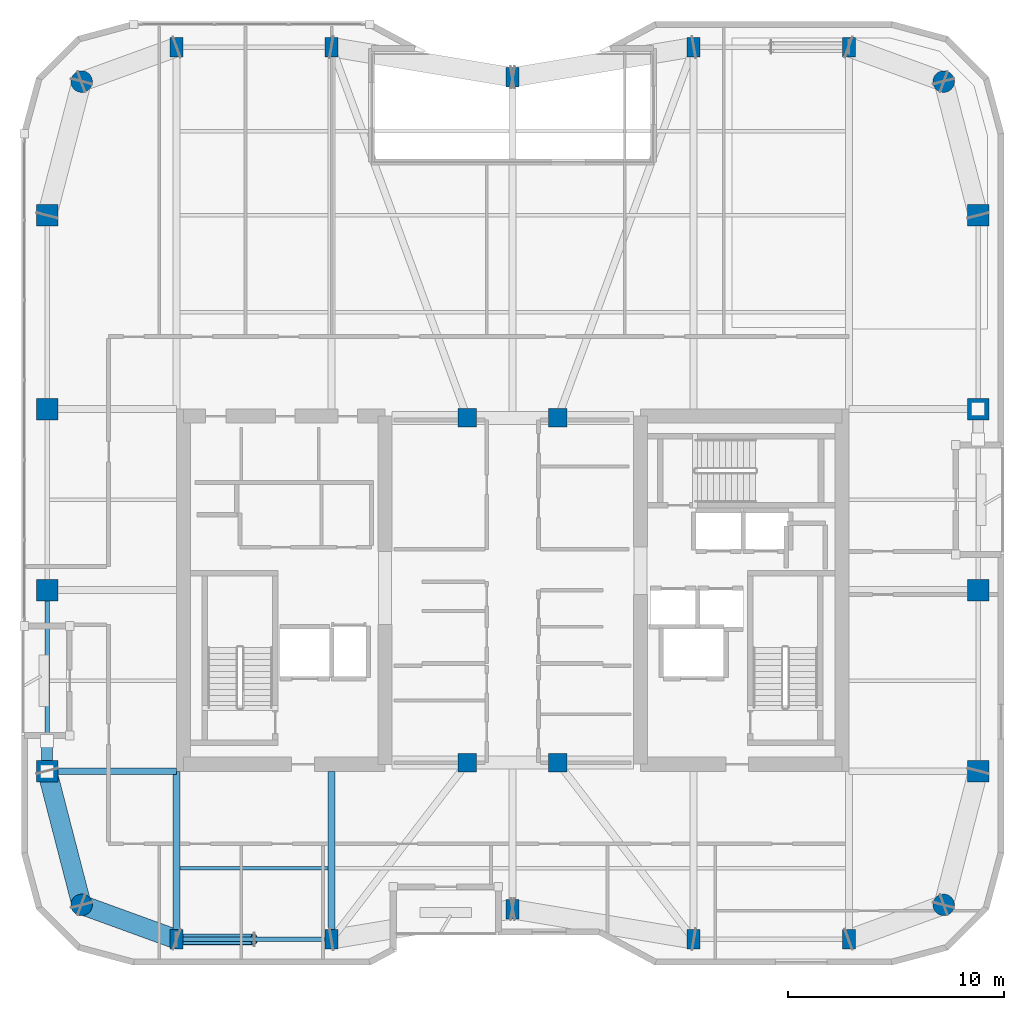
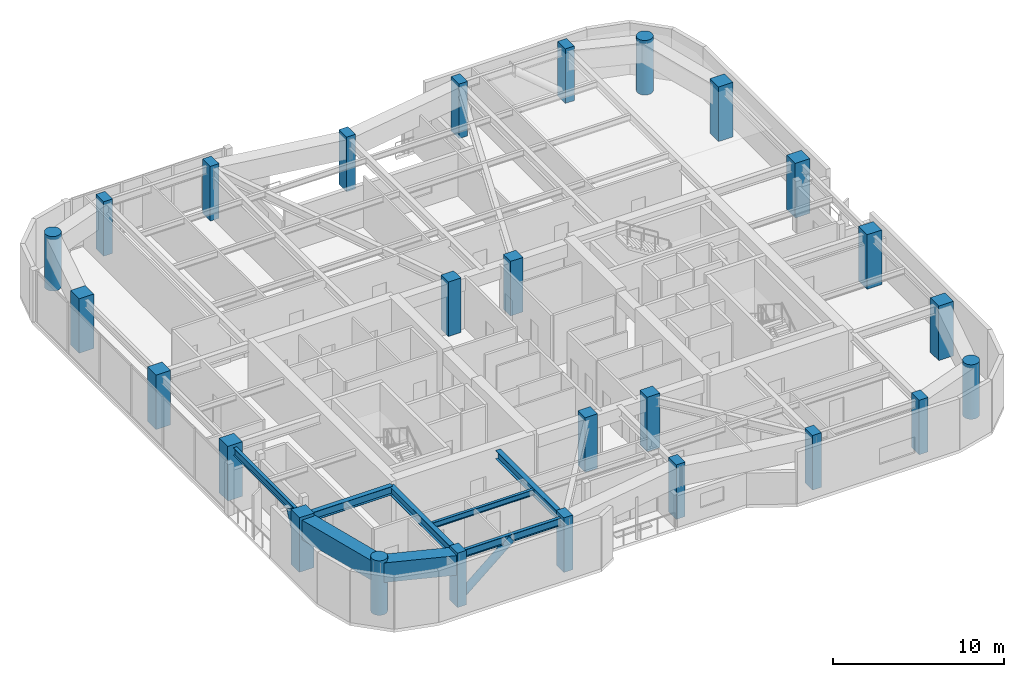
# One storey, part 1 of 22: 26 columns, 8 beams, 2 members.
"""IFC4 building model written with IfcOpenShell, lengths in metres."""

from ifc_helpers import new_model, si_unit, direction, frame, origin, origin_2d, place, context, subcontext, project, spatial, rectangle, hollow_rectangle, circle, hollow_circle, i_section, extrude, material, material_profile, profile_set, type_object, element, save


model = new_model("IFC4")

# Units and contexts
model_context = context("Model", 3, precision=1e-05, world=origin(), true_north=direction((0.0, 1.0)))
body_context = subcontext(model_context, "Body", "Model", "MODEL_VIEW")
ifc_project = project(units=[si_unit("LENGTHUNIT", "METRE"), si_unit("AREAUNIT", "SQUARE_METRE"), si_unit("VOLUMEUNIT", "CUBIC_METRE"), si_unit("PLANEANGLEUNIT", "RADIAN"), si_unit("MASSUNIT", "GRAM", prefix="KILO")], contexts=[model_context])

# Site, building, storey
site_placement = place(None, origin())
site = spatial("IfcSite", under=ifc_project, at=site_placement, CompositionType="ELEMENT")
building_placement = place(site_placement, origin())
building = spatial("IfcBuilding", under=site, at=building_placement, Name="Kiyonajd Concourse Tower", CompositionType="ELEMENT")
storey_placement = place(building_placement, frame((0.0, 0.0, 243.300048828125)))
storey = spatial("IfcBuildingStorey", under=building, at=storey_placement, Name="L61", CompositionType="ELEMENT", Elevation=243.300048828125)

# Columns
ifc_material_1 = material(Name="Concrete C60/75", Category="concrete")
ifc_material_profile_1 = material_profile(ifc_material_1, rectangle(XDim=0.60009765625, YDim=0.89990234375, at=origin_2d()), Name="RC-900x600")
ifc_profile_set_1 = profile_set([ifc_material_profile_1], Name="Concrete C60/75")
column_type_1 = type_object("IfcColumnType", Name="CL-BLADE-900", PredefinedType="COLUMN", material=ifc_profile_set_1)
for number, where, z_axis, x_axis, name in (
    (1, (32.39990234375, 19.800048828125, 0.0), (0.0, 0.0, 1.0), (1.0, 0.0, 0.0), "L61 Perimeter Bundled Tube Column"),
    (2, (32.39990234375, 61.199951171875, 0.0), (0.0, 0.0, 1.0), (1.0, 0.0, 0.0), "L61 Perimeter Bundled Tube Column"),
    (3, (39.60009765625, 19.800048828125, 0.0), (0.0, 0.0, 1.0), (1.0, 0.0, 0.0), "L61 Perimeter Bundled Tube Column"),
    (4, (39.60009765625, 61.199951171875, 0.0), (0.0, 0.0, 1.0), (1.0, 0.0, 0.0), "L61 Perimeter Bundled Tube Column"),
    (5, (48.0, 21.199951171875, 0.0), (0.0, 0.0, 1.0), (1.0, 0.0, 0.0), "L61 Perimeter Bundled Tube Column"),
    (6, (48.0, 59.800048828125, 0.0), (0.0, 0.0, 1.0), (1.0, 0.0, 0.0), "L61 Perimeter Bundled Tube Column"),
    (7, (56.39990234375, 19.800048828125, 0.0), (0.0, 0.0, 1.0), (1.0, 0.0, 0.0), "L61 Perimeter Bundled Tube Column"),
    (8, (56.39990234375, 61.199951171875, 0.0), (0.0, 0.0, 1.0), (1.0, 0.0, 0.0), "L61 Perimeter Bundled Tube Column"),
    (9, (63.60009765625, 19.800048828125, 0.0), (0.0, 0.0, 1.0), (1.0, 0.0, 0.0), "L61 Perimeter Bundled Tube Column"),
    (10, (63.60009765625, 61.199951171875, 0.0), (0.0, 0.0, 1.0), (1.0, 0.0, 0.0), "L61 Perimeter Bundled Tube Column"),
):
    element("IfcColumn", number, at=place(storey_placement, frame(where, z_axis=z_axis, x_axis=x_axis)), inside=storey, type_object=column_type_1, Name=name, PredefinedType="COLUMN", context=body_context, shape_type="SweptSolid", body=[
        extrude(rectangle(XDim=0.60009765625, YDim=0.89990234375, at=origin_2d()), origin(), (0.0, 0.0, 1.0), 3.89990234375),
    ])
ifc_material_profile_2 = material_profile(ifc_material_1, circle(Radius=0.5, at=origin_2d()), Name="RCC-D1000")
ifc_profile_set_2 = profile_set([ifc_material_profile_2], Name="Concrete C60/75")
column_type_2 = type_object("IfcColumnType", Name="CL-RND-1000", PredefinedType="COLUMN", material=ifc_profile_set_2)
for number, where, z_axis, x_axis, name in (
    (11, (28.0, 21.39990234375, 0.0), (0.0, 0.0, 1.0), (1.0, 0.0, 0.0), "L61 Bundled Tube Corner Column South West"),
    (12, (68.0, 21.39990234375, 0.0), (0.0, 0.0, 1.0), (1.0, 0.0, 0.0), "L61 Bundled Tube Corner Column South East"),
    (13, (68.0, 59.60009765625, 0.0), (0.0, 0.0, 1.0), (1.0, 0.0, 0.0), "L61 Bundled Tube Corner Column North East"),
    (14, (28.0, 59.60009765625, 0.0), (0.0, 0.0, 1.0), (1.0, 0.0, 0.0), "L61 Bundled Tube Corner Column North West"),
):
    element("IfcColumn", number, at=place(storey_placement, frame(where, z_axis=z_axis, x_axis=x_axis)), inside=storey, type_object=column_type_2, Name=name, PredefinedType="COLUMN", context=body_context, shape_type="SweptSolid", body=[
        extrude(circle(Radius=0.5, at=origin_2d()), origin(), (0.0, 0.0, 1.0), 3.89990234375),
    ])
ifc_material_profile_3 = material_profile(ifc_material_1, rectangle(XDim=1.0, YDim=1.0, at=origin_2d()), Name="RC-1000x1000")
ifc_profile_set_3 = profile_set([ifc_material_profile_3], Name="Concrete C60/75")
column_type_3 = type_object("IfcColumnType", Name="CL-TUBE-1000", PredefinedType="COLUMN", material=ifc_profile_set_3)
for number, where, z_axis, x_axis, name in (
    (15, (26.39990234375, 27.60009765625, 0.0), (0.0, 0.0, 1.0), (1.0, 0.0, 0.0), "L61 Perimeter Bundled Tube Column"),
    (16, (69.60009765625, 27.60009765625, 0.0), (0.0, 0.0, 1.0), (1.0, 0.0, 0.0), "L61 Perimeter Bundled Tube Column"),
    (17, (26.39990234375, 36.0, 0.0), (0.0, 0.0, 1.0), (1.0, 0.0, 0.0), "L61 Perimeter Bundled Tube Column"),
    (18, (69.60009765625, 36.0, 0.0), (0.0, 0.0, 1.0), (1.0, 0.0, 0.0), "L61 Perimeter Bundled Tube Column"),
    (19, (26.39990234375, 44.39990234375, 0.0), (0.0, 0.0, 1.0), (1.0, 0.0, 0.0), "L61 Perimeter Bundled Tube Column"),
    (20, (69.60009765625, 44.39990234375, 0.0), (0.0, 0.0, 1.0), (1.0, 0.0, 0.0), "L61 Perimeter Bundled Tube Column"),
    (21, (26.39990234375, 53.39990234375, 0.0), (0.0, 0.0, 1.0), (1.0, 0.0, 0.0), "L61 Perimeter Bundled Tube Column"),
    (22, (69.60009765625, 53.39990234375, 0.0), (0.0, 0.0, 1.0), (1.0, 0.0, 0.0), "L61 Perimeter Bundled Tube Column"),
):
    element("IfcColumn", number, at=place(storey_placement, frame(where, z_axis=z_axis, x_axis=x_axis)), inside=storey, type_object=column_type_3, Name=name, PredefinedType="COLUMN", context=body_context, shape_type="SweptSolid", body=[
        extrude(rectangle(XDim=1.0, YDim=1.0, at=origin_2d()), origin(), (0.0, 0.0, 1.0), 3.89990234375),
    ])
ifc_material_profile_4 = material_profile(ifc_material_1, rectangle(XDim=0.85009765625, YDim=0.85009765625, at=origin_2d()), Name="RC-850x850")
ifc_profile_set_4 = profile_set([ifc_material_profile_4], Name="Concrete C60/75")
column_type_4 = type_object("IfcColumnType", Name="CL-TUBE-850", PredefinedType="COLUMN", material=ifc_profile_set_4)
for number, where, z_axis, x_axis, name in (
    (23, (45.89990234375, 28.0, 0.0), (0.0, 0.0, 1.0), (1.0, 0.0, 0.0), "L61 Core Tie Column South West"),
    (24, (50.10009765625, 28.0, 0.0), (0.0, 0.0, 1.0), (1.0, 0.0, 0.0), "L61 Core Tie Column South East"),
    (25, (45.89990234375, 44.0, 0.0), (0.0, 0.0, 1.0), (1.0, 0.0, 0.0), "L61 Core Tie Column North West"),
    (26, (50.10009765625, 44.0, 0.0), (0.0, 0.0, 1.0), (1.0, 0.0, 0.0), "L61 Core Tie Column North East"),
):
    element("IfcColumn", number, at=place(storey_placement, frame(where, z_axis=z_axis, x_axis=x_axis)), inside=storey, type_object=column_type_4, Name=name, PredefinedType="COLUMN", context=body_context, shape_type="SweptSolid", body=[
        extrude(rectangle(XDim=0.85009765625, YDim=0.85009765625, at=origin_2d()), origin(), (0.0, 0.0, 1.0), 3.89990234375),
    ])

# Beams
ifc_material_2 = material(Name="Steel ASTM A992 Grade 50", Category="steel")
ifc_material_profile_5 = material_profile(ifc_material_2, i_section(OverallWidth=0.180908203125, OverallDepth=0.4169921875, WebThickness=0.010986328125, FlangeThickness=0.018310546875, at=origin_2d()), Name="W410X85")
ifc_profile_set_5 = profile_set([ifc_material_profile_5], Name="Steel ASTM A992 Grade 50")
beam_type_1 = type_object("IfcBeamType", Name="BM-JST-410", PredefinedType="JOIST", material=ifc_profile_set_5)
beam_1_placement = place(storey_placement, frame((32.56201171875, 23.10009765625, 3.471435546875), z_axis=(1.0, 0.0, 0.0), x_axis=(0.0, 1.0, 0.0)))
element("IfcBeam", 27, at=beam_1_placement, inside=storey, type_object=beam_type_1, Name="L61 Secondary Floor Joist", PredefinedType="JOIST", context=body_context, shape_type="SweptSolid", body=[
    extrude(i_section(OverallWidth=0.180908203125, OverallDepth=0.4169921875, WebThickness=0.010986328125, FlangeThickness=0.018310546875, at=origin_2d()), origin(), (0.0, 0.0, 1.0), 6.8759765625),
])
ifc_material_profile_6 = material_profile(ifc_material_2, i_section(OverallWidth=0.214111328125, OverallDepth=0.549072265625, WebThickness=0.0146484375, FlangeThickness=0.023681640625, at=origin_2d()), Name="W530X138")
ifc_profile_set_6 = profile_set([ifc_material_profile_6], Name="Steel ASTM A992 Grade 50")
beam_type_2 = type_object("IfcBeamType", Name="BM-SPAN-530A", PredefinedType="SPANDREL", material=ifc_profile_set_6)
beam_2_placement = place(storey_placement, frame((32.39990234375, 19.800048828125, 3.405517578125), z_axis=(1.0, 0.0, 0.0), x_axis=(0.0, 1.0, 0.0)))
element("IfcBeam", 28, at=beam_2_placement, inside=storey, type_object=beam_type_2, Name="L61 Perimeter Bundled Tube Spandrel", PredefinedType="SPANDREL", context=body_context, shape_type="SweptSolid", body=[
    extrude(i_section(OverallWidth=0.214111328125, OverallDepth=0.549072265625, WebThickness=0.0146484375, FlangeThickness=0.023681640625, at=origin_2d()), origin(), (0.0, 0.0, 1.0), 7.2001953125),
])
beam_3_placement = place(storey_placement, frame((26.39990234375, 36.0, 3.405517578125), z_axis=(0.0, -1.0, 0.0), x_axis=(1.0, 0.0, 0.0)))
element("IfcBeam", 29, at=beam_3_placement, inside=storey, type_object=beam_type_2, Name="L61 Perimeter Bundled Tube Spandrel", PredefinedType="SPANDREL", context=body_context, shape_type="SweptSolid", body=[
    extrude(i_section(OverallWidth=0.214111328125, OverallDepth=0.549072265625, WebThickness=0.0146484375, FlangeThickness=0.023681640625, at=origin_2d()), origin(), (0.0, 0.0, 1.0), 8.39990234375),
])
ifc_material_profile_7 = material_profile(ifc_material_2, i_section(OverallWidth=0.323974609375, OverallDepth=0.611083984375, WebThickness=0.0126953125, FlangeThickness=0.01904296875, at=origin_2d()), Name="W610X155")
ifc_profile_set_7 = profile_set([ifc_material_profile_7], Name="Steel ASTM A992 Grade 50")
beam_type_3 = type_object("IfcBeamType", Name="BM-TWR-610B", PredefinedType="BEAM", material=ifc_profile_set_7)
for number, where, z_axis, x_axis, name in (
    (30, (32.39990234375, 19.800048828125, 3.37451171875), (0.0, 1.0, 0.0), (-1.0, 0.0, 0.0), "L61 South Lease Girder"),
    (31, (39.60009765625, 19.800048828125, 3.37451171875), (0.0, 1.0, 0.0), (-1.0, 0.0, 0.0), "L61 South Lease Girder"),
):
    element("IfcBeam", number, at=place(storey_placement, frame(where, z_axis=z_axis, x_axis=x_axis)), inside=storey, type_object=beam_type_3, Name=name, PredefinedType="BEAM", context=body_context, shape_type="SweptSolid", body=[
        extrude(i_section(OverallWidth=0.323974609375, OverallDepth=0.611083984375, WebThickness=0.0126953125, FlangeThickness=0.01904296875, at=origin_2d()), origin(), (0.0, 0.0, 1.0), 7.800048828125),
    ])
beam_4_placement = place(storey_placement, frame((26.39990234375, 27.60009765625, 3.37451171875), z_axis=(1.0, 0.0, 0.0), x_axis=(0.0, 1.0, 0.0)))
element("IfcBeam", 32, at=beam_4_placement, inside=storey, type_object=beam_type_3, Name="L61 West Lease Girder", PredefinedType="BEAM", context=body_context, shape_type="SweptSolid", body=[
    extrude(i_section(OverallWidth=0.323974609375, OverallDepth=0.611083984375, WebThickness=0.0126953125, FlangeThickness=0.01904296875, at=origin_2d()), origin(), (0.0, 0.0, 1.0), 6.0),
])
ifc_material_3 = material(Name="Steel ASTM A572 Grade 50", Category="steel")
ifc_material_profile_8 = material_profile(ifc_material_3, hollow_rectangle(XDim=0.89990234375, YDim=1.39990234375, WallThickness=0.070068359375, at=origin_2d()), Name="BOX-1400x900x70")
ifc_profile_set_8 = profile_set([ifc_material_profile_8], Name="Steel ASTM A572 Grade 50")
beam_type_4 = type_object("IfcBeamType", Name="BM-XFER-1400", PredefinedType="BEAM", material=ifc_profile_set_8)
beam_5_placement = place(storey_placement, frame((26.39990234375, 27.60009765625, 2.97998046875), z_axis=(0.249884937687, -0.968275538221, 0.0), x_axis=(0.968275538221, 0.249884937687, 0.0)))
element("IfcBeam", 33, at=beam_5_placement, inside=storey, type_object=beam_type_4, Name="L61 Perimeter Bundled Tube Spandrel", PredefinedType="BEAM", context=body_context, shape_type="SweptSolid", body=[
    extrude(hollow_rectangle(XDim=0.89990234375, YDim=1.39990234375, WallThickness=0.070068359375, at=origin_2d()), origin(), (0.0, 0.0, 1.0), 6.4033203125),
])
beam_6_placement = place(storey_placement, frame((28.0, 21.39990234375, 2.97998046875), z_axis=(0.939801036019, -0.341722127901, 0.0), x_axis=(0.341722127901, 0.939801036019, 0.0)))
element("IfcBeam", 34, at=beam_6_placement, inside=storey, type_object=beam_type_4, Name="L61 Perimeter Bundled Tube Spandrel", PredefinedType="BEAM", context=body_context, shape_type="SweptSolid", body=[
    extrude(hollow_rectangle(XDim=0.89990234375, YDim=1.39990234375, WallThickness=0.070068359375, at=origin_2d()), origin(), (0.0, 0.0, 1.0), 4.681640625),
])

# Members
ifc_material_4 = material(Name="Steel ASTM A500 Grade C", Category="steel")
ifc_material_profile_9 = material_profile(ifc_material_4, hollow_circle(Radius=0.25390625, WallThickness=0.02197265625, at=origin_2d()), Name="CHS-508x22")
ifc_profile_set_9 = profile_set([ifc_material_profile_9], Name="Steel ASTM A500 Grade C")
member_type = type_object("IfcMemberType", Name="MB-PB-MID", PredefinedType="BRACE", material=ifc_profile_set_9)
member_1_placement = place(storey_placement, frame((32.39990234375, 19.800048828125, 0.300048828125), z_axis=(0.765107605277, 0.0, 0.643902440085), x_axis=(0.0, 1.0, 0.0)))
element("IfcMember", 35, at=member_1_placement, inside=storey, type_object=member_type, Name="L61 Upper Zone Hollow Tube Brace PBS", PredefinedType="BRACE", context=body_context, shape_type="SweptSolid", body=[
    extrude(hollow_circle(Radius=0.25390625, WallThickness=0.02197265625, at=origin_2d()), origin(), (0.0, 0.0, 1.0), 4.705322265625),
])
member_2_placement = place(storey_placement, frame((26.39990234375, 27.60009765625, 0.300048828125), z_axis=(0.0, 0.419438517439, 0.907783746323), x_axis=(-1.0, 0.0, 0.0)))
element("IfcMember", 36, at=member_2_placement, inside=storey, type_object=member_type, Name="L61 Upper Zone Hollow Tube Brace PBW", PredefinedType="BRACE", context=body_context, shape_type="SweptSolid", body=[
    extrude(hollow_circle(Radius=0.25390625, WallThickness=0.02197265625, at=origin_2d()), origin(), (0.0, 0.0, 1.0), 3.337646484375),
])

save(model, "model.ifc")
